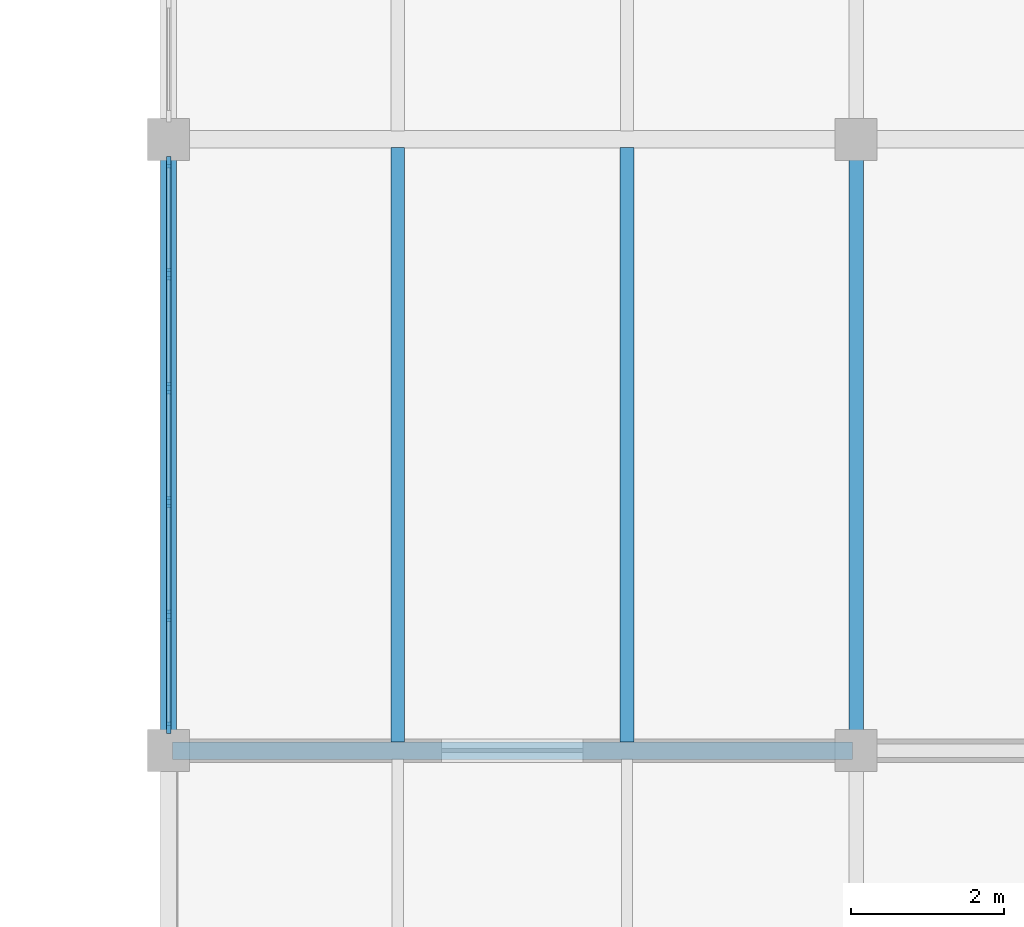
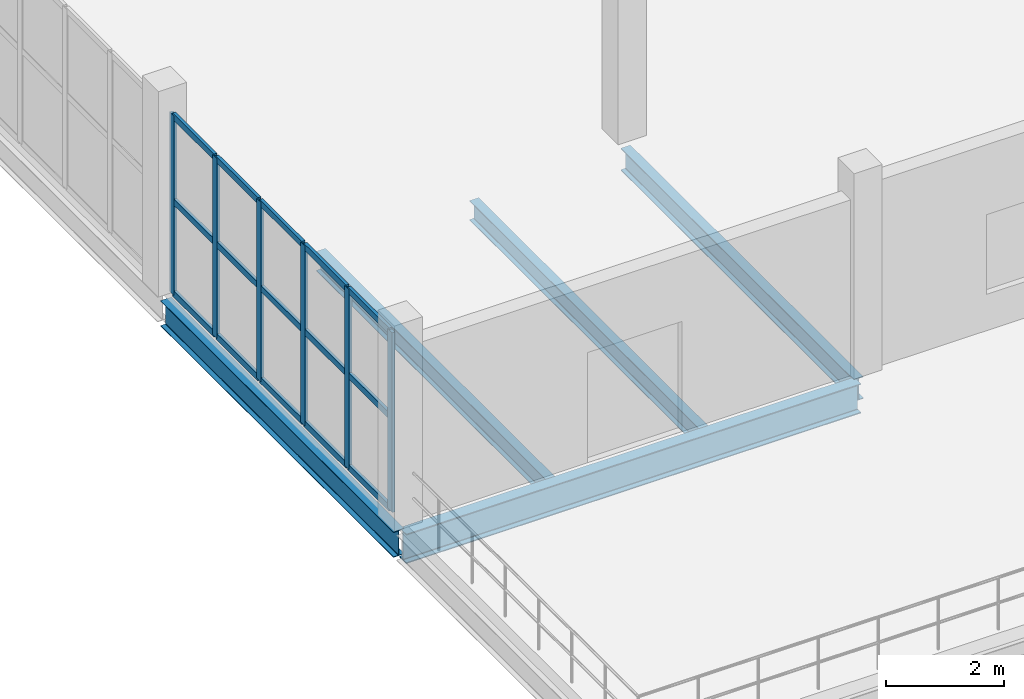
# One storey, part 13 of 54: 21 members, 5 beams, 1 element without a shape of its own.
"""IFC4 building model written with IfcOpenShell, lengths in metres."""

from ifc_helpers import new_model, si_unit, direction, frame, origin, origin_2d, place, context, subcontext, project, spatial, rectangle, i_section, extrude, material, layer, layer_set, material_profile, profile_set, type_object, element, aggregate, save


model = new_model("IFC4")

# Units and contexts
model_context = context("Model", 3, precision=1e-05, world=origin(), true_north=direction((0.0, 1.0)))
body_context = subcontext(model_context, "Body", "Model", "MODEL_VIEW")
ifc_project = project(units=[si_unit("LENGTHUNIT", "METRE"), si_unit("AREAUNIT", "SQUARE_METRE"), si_unit("VOLUMEUNIT", "CUBIC_METRE"), si_unit("PLANEANGLEUNIT", "RADIAN"), si_unit("MASSUNIT", "GRAM", prefix="KILO")], contexts=[model_context])

# Site, building, storey
site_placement = place(None, origin())
site = spatial("IfcSite", under=ifc_project, at=site_placement, CompositionType="ELEMENT")
building_placement = place(site_placement, origin())
building = spatial("IfcBuilding", under=site, at=building_placement, Name="Marnock Terrace Opera House", CompositionType="ELEMENT")
storey_placement = place(building_placement, frame((0.0, 0.0, 19.199951171875)))
storey = spatial("IfcBuildingStorey", under=building, at=storey_placement, Name="L04", CompositionType="ELEMENT", Elevation=19.199951171875)

# Beams
ifc_material_1 = material(Name="Steel Grade 350 (AS/NZS 3679.1)", Category="steel")
ifc_material_profile_1 = material_profile(ifc_material_1, i_section(OverallWidth=0.18994140625, OverallDepth=0.45751953125, WebThickness=0.009033203125, FlangeThickness=0.014404296875, FilletRadius=0.011474609375, at=origin_2d()))
ifc_profile_set_1 = profile_set([ifc_material_profile_1], Name="Steel Grade 350 (AS/NZS 3679.1)")
beam_type_1 = type_object("IfcBeamType", Name="BM-GIRD-460B", PredefinedType="BEAM", material=ifc_profile_set_1)
beam_1_placement = place(storey_placement, frame((127.0, 16.050048828125, -0.49853515625), z_axis=(0.0, 1.0, 0.0), x_axis=(-1.0, 0.0, 0.0)))
element("IfcBeam", 1, at=beam_1_placement, inside=storey, type_object=beam_type_1, Name="L04 girder (X=127.0, 16.0..24.0)", PredefinedType="BEAM", context=body_context, shape_type="SweptSolid", body=[
    extrude(i_section(OverallWidth=0.18994140625, OverallDepth=0.45751953125, WebThickness=0.009033203125, FlangeThickness=0.014404296875, FilletRadius=0.011474609375, at=origin_2d()), origin(), (0.0, 0.0, 1.0), 7.89990234375),
])
ifc_material_profile_2 = material_profile(ifc_material_1, i_section(OverallWidth=0.208984375, OverallDepth=0.528076171875, WebThickness=0.009521484375, FlangeThickness=0.01318359375, FilletRadius=0.013916015625, at=origin_2d()))
ifc_profile_set_2 = profile_set([ifc_material_profile_2], Name="Steel Grade 350 (AS/NZS 3679.1)")
beam_type_2 = type_object("IfcBeamType", Name="BM-GIRD-530B", PredefinedType="BEAM", material=ifc_profile_set_2)
beam_2_placement = place(storey_placement, frame((118.0, 16.050048828125, -0.533935546875), z_axis=(0.0, 1.0, 0.0), x_axis=(-1.0, 0.0, 0.0)))
element("IfcBeam", 2, at=beam_2_placement, inside=storey, type_object=beam_type_2, Name="L04 girder (X=118.0, 16.0..24.0)", PredefinedType="BEAM", context=body_context, shape_type="SweptSolid", body=[
    extrude(i_section(OverallWidth=0.208984375, OverallDepth=0.528076171875, WebThickness=0.009521484375, FlangeThickness=0.01318359375, FilletRadius=0.013916015625, at=origin_2d()), origin(), (0.0, 0.0, 1.0), 7.89990234375),
])
ifc_material_profile_3 = material_profile(ifc_material_1, i_section(OverallWidth=0.22900390625, OverallDepth=0.611572265625, WebThickness=0.011962890625, FlangeThickness=0.01953125, FilletRadius=0.013916015625, at=origin_2d()))
ifc_profile_set_3 = profile_set([ifc_material_profile_3], Name="Steel Grade 350 (AS/NZS 3679.1)")
beam_type_3 = type_object("IfcBeamType", Name="BM-GIRD-610A", PredefinedType="BEAM", material=ifc_profile_set_3)
beam_3_placement = place(storey_placement, frame((118.050048828125, 16.0, -0.57568359375), z_axis=(1.0, 0.0, 0.0), x_axis=(0.0, 1.0, 0.0)))
element("IfcBeam", 3, at=beam_3_placement, inside=storey, type_object=beam_type_3, Name="L04 girder (118.0..127.0, Y=16.0)", PredefinedType="BEAM", context=body_context, shape_type="SweptSolid", body=[
    extrude(i_section(OverallWidth=0.22900390625, OverallDepth=0.611572265625, WebThickness=0.011962890625, FlangeThickness=0.01953125, FilletRadius=0.013916015625, at=origin_2d()), origin(), (0.0, 0.0, 1.0), 8.89990234375),
])
ifc_material_profile_4 = material_profile(ifc_material_1, i_section(OverallWidth=0.177978515625, OverallDepth=0.406494140625, WebThickness=0.0078125, FlangeThickness=0.0126953125, FilletRadius=0.011474609375, at=origin_2d()))
ifc_profile_set_4 = profile_set([ifc_material_profile_4], Name="Steel Grade 350 (AS/NZS 3679.1)")
beam_type_4 = type_object("IfcBeamType", Name="BM-JOIST-410", PredefinedType="JOIST", material=ifc_profile_set_4)
for number, where, z_axis, x_axis, name in (
    (4, (121.0, 16.109619140625, -0.47314453125), (0.0, 1.0, 0.0), (-1.0, 0.0, 0.0), "L04 secondary joist 13.2.1"),
    (5, (124.0, 16.109619140625, -0.47314453125), (0.0, 1.0, 0.0), (-1.0, 0.0, 0.0), "L04 secondary joist 13.2.2"),
):
    element("IfcBeam", number, at=place(storey_placement, frame(where, z_axis=z_axis, x_axis=x_axis)), inside=storey, type_object=beam_type_4, Name=name, PredefinedType="JOIST", context=body_context, shape_type="SweptSolid", body=[
        extrude(i_section(OverallWidth=0.177978515625, OverallDepth=0.406494140625, WebThickness=0.0078125, FlangeThickness=0.0126953125, FilletRadius=0.011474609375, at=origin_2d()), origin(), (0.0, 0.0, 1.0), 7.781494140625),
    ])

# Curtain wall, members
ifc_material_2 = material(Name="Anodised architectural bronze aluminium framing", Category="aluminium")
ifc_layer = layer(ifc_material_2, 0.159912109375)
ifc_layer_set = layer_set([ifc_layer], Name="Anodised architectural bronze aluminium framing")
curtain_wall_type = type_object("IfcCurtainWallType", Name="CW-DRUM-71x39", PredefinedType="NOTDEFINED", material=ifc_layer_set)
curtain_wall_placement = place(storey_placement, origin())
curtain_wall = element("IfcCurtainWall", 6, at=curtain_wall_placement, inside=storey, type_object=curtain_wall_type, Name="L04 glazed Beaux-Arts colonnade curtain wall CW-L04-V5W1", PredefinedType="NOTDEFINED")
ifc_material_profile_5 = material_profile(ifc_material_2, rectangle(XDim=0.06005859375, YDim=0.14990234375, at=origin_2d()))
ifc_profile_set_5 = profile_set([ifc_material_profile_5], Name="Anodised architectural bronze aluminium framing")
member_type_1 = type_object("IfcMemberType", Name="CWM-60x150", PredefinedType="MULLION", material=ifc_profile_set_5)
member_1_placement = place(storey_placement, frame((118.0, 16.301025390625, 0.0), z_axis=(0.0, 0.0, 1.0), x_axis=(-1.0, 0.0, 0.0)))
member_1 = element("IfcMember", 7, at=member_1_placement, type_object=member_type_1, Name="CW-76 mullion 1", PredefinedType="MULLION", context=body_context, shape_type="SweptSolid", body=[
    extrude(rectangle(XDim=0.06005859375, YDim=0.14990234375, at=origin_2d()), origin(), (0.0, 0.0, 1.0), 3.72216796875),
])
member_2_placement = place(storey_placement, frame((118.0, 17.7626953125, 0.0), z_axis=(0.0, 0.0, 1.0), x_axis=(-1.0, 0.0, 0.0)))
member_2 = element("IfcMember", 8, at=member_2_placement, type_object=member_type_1, Name="CW-76 mullion 2", PredefinedType="MULLION", context=body_context, shape_type="SweptSolid", body=[
    extrude(rectangle(XDim=0.06005859375, YDim=0.14990234375, at=origin_2d()), origin(), (0.0, 0.0, 1.0), 3.72216796875),
])
member_3_placement = place(storey_placement, frame((118.0, 19.254150390625, 0.0), z_axis=(0.0, 0.0, 1.0), x_axis=(-1.0, 0.0, 0.0)))
member_3 = element("IfcMember", 9, at=member_3_placement, type_object=member_type_1, Name="CW-76 mullion 3", PredefinedType="MULLION", context=body_context, shape_type="SweptSolid", body=[
    extrude(rectangle(XDim=0.06005859375, YDim=0.14990234375, at=origin_2d()), origin(), (0.0, 0.0, 1.0), 3.72216796875),
])
member_4_placement = place(storey_placement, frame((118.0, 20.745849609375, 0.0), z_axis=(0.0, 0.0, 1.0), x_axis=(-1.0, 0.0, 0.0)))
member_4 = element("IfcMember", 10, at=member_4_placement, type_object=member_type_1, Name="CW-76 mullion 4", PredefinedType="MULLION", context=body_context, shape_type="SweptSolid", body=[
    extrude(rectangle(XDim=0.06005859375, YDim=0.14990234375, at=origin_2d()), origin(), (0.0, 0.0, 1.0), 3.72216796875),
])
member_5_placement = place(storey_placement, frame((118.0, 22.2373046875, 0.0), z_axis=(0.0, 0.0, 1.0), x_axis=(-1.0, 0.0, 0.0)))
member_5 = element("IfcMember", 11, at=member_5_placement, type_object=member_type_1, Name="CW-76 mullion 5", PredefinedType="MULLION", context=body_context, shape_type="SweptSolid", body=[
    extrude(rectangle(XDim=0.06005859375, YDim=0.14990234375, at=origin_2d()), origin(), (0.0, 0.0, 1.0), 3.72216796875),
])
member_6_placement = place(storey_placement, frame((118.0, 23.698974609375, 0.0), z_axis=(0.0, 0.0, 1.0), x_axis=(-1.0, 0.0, 0.0)))
member_6 = element("IfcMember", 12, at=member_6_placement, type_object=member_type_1, Name="CW-76 mullion 6", PredefinedType="MULLION", context=body_context, shape_type="SweptSolid", body=[
    extrude(rectangle(XDim=0.06005859375, YDim=0.14990234375, at=origin_2d()), origin(), (0.0, 0.0, 1.0), 3.72216796875),
])
ifc_material_profile_6 = material_profile(ifc_material_2, rectangle(XDim=0.06005859375, YDim=0.1298828125, at=origin_2d()))
ifc_profile_set_6 = profile_set([ifc_material_profile_6], Name="Anodised architectural bronze aluminium framing")
member_type_2 = type_object("IfcMemberType", Name="CWT-60x130", PredefinedType="USERDEFINED", material=ifc_profile_set_6)
member_7_placement = place(storey_placement, frame((118.0, 16.3310546875, 0.030029296875), z_axis=(0.0, 1.0, 0.0), x_axis=(-1.0, 0.0, 0.0)))
member_7 = element("IfcMember", 13, at=member_7_placement, type_object=member_type_2, Name="CW-76 transom 1.1", ObjectType="TRANSOM", PredefinedType="USERDEFINED", context=body_context, shape_type="SweptSolid", body=[
    extrude(rectangle(XDim=0.06005859375, YDim=0.1298828125, at=origin_2d()), origin(), (0.0, 0.0, 1.0), 1.401611328125),
])
member_8_placement = place(storey_placement, frame((118.0, 16.3310546875, 1.935546875), z_axis=(0.0, 1.0, 0.0), x_axis=(-1.0, 0.0, 0.0)))
member_8 = element("IfcMember", 14, at=member_8_placement, type_object=member_type_2, Name="CW-76 transom 1.2", ObjectType="TRANSOM", PredefinedType="USERDEFINED", context=body_context, shape_type="SweptSolid", body=[
    extrude(rectangle(XDim=0.06005859375, YDim=0.1298828125, at=origin_2d()), origin(), (0.0, 0.0, 1.0), 1.401611328125),
])
member_9_placement = place(storey_placement, frame((118.0, 16.3310546875, 3.692138671875), z_axis=(0.0, 1.0, 0.0), x_axis=(-1.0, 0.0, 0.0)))
member_9 = element("IfcMember", 15, at=member_9_placement, type_object=member_type_2, Name="CW-76 transom 1.3", ObjectType="TRANSOM", PredefinedType="USERDEFINED", context=body_context, shape_type="SweptSolid", body=[
    extrude(rectangle(XDim=0.06005859375, YDim=0.1298828125, at=origin_2d()), origin(), (0.0, 0.0, 1.0), 1.401611328125),
])
member_10_placement = place(storey_placement, frame((118.0, 17.79248046875, 0.030029296875), z_axis=(0.0, 1.0, 0.0), x_axis=(-1.0, 0.0, 0.0)))
member_10 = element("IfcMember", 16, at=member_10_placement, type_object=member_type_2, Name="CW-76 transom 2.1", ObjectType="TRANSOM", PredefinedType="USERDEFINED", context=body_context, shape_type="SweptSolid", body=[
    extrude(rectangle(XDim=0.06005859375, YDim=0.1298828125, at=origin_2d()), origin(), (0.0, 0.0, 1.0), 1.431640625),
])
member_11_placement = place(storey_placement, frame((118.0, 17.79248046875, 1.935546875), z_axis=(0.0, 1.0, 0.0), x_axis=(-1.0, 0.0, 0.0)))
member_11 = element("IfcMember", 17, at=member_11_placement, type_object=member_type_2, Name="CW-76 transom 2.2", ObjectType="TRANSOM", PredefinedType="USERDEFINED", context=body_context, shape_type="SweptSolid", body=[
    extrude(rectangle(XDim=0.06005859375, YDim=0.1298828125, at=origin_2d()), origin(), (0.0, 0.0, 1.0), 1.431640625),
])
member_12_placement = place(storey_placement, frame((118.0, 17.79248046875, 3.692138671875), z_axis=(0.0, 1.0, 0.0), x_axis=(-1.0, 0.0, 0.0)))
member_12 = element("IfcMember", 18, at=member_12_placement, type_object=member_type_2, Name="CW-76 transom 2.3", ObjectType="TRANSOM", PredefinedType="USERDEFINED", context=body_context, shape_type="SweptSolid", body=[
    extrude(rectangle(XDim=0.06005859375, YDim=0.1298828125, at=origin_2d()), origin(), (0.0, 0.0, 1.0), 1.431640625),
])
member_13_placement = place(storey_placement, frame((118.0, 19.2841796875, 0.030029296875), z_axis=(0.0, 1.0, 0.0), x_axis=(-1.0, 0.0, 0.0)))
member_13 = element("IfcMember", 19, at=member_13_placement, type_object=member_type_2, Name="CW-76 transom 3.1", ObjectType="TRANSOM", PredefinedType="USERDEFINED", context=body_context, shape_type="SweptSolid", body=[
    extrude(rectangle(XDim=0.06005859375, YDim=0.1298828125, at=origin_2d()), origin(), (0.0, 0.0, 1.0), 1.431640625),
])
member_14_placement = place(storey_placement, frame((118.0, 19.2841796875, 1.935546875), z_axis=(0.0, 1.0, 0.0), x_axis=(-1.0, 0.0, 0.0)))
member_14 = element("IfcMember", 20, at=member_14_placement, type_object=member_type_2, Name="CW-76 transom 3.2", ObjectType="TRANSOM", PredefinedType="USERDEFINED", context=body_context, shape_type="SweptSolid", body=[
    extrude(rectangle(XDim=0.06005859375, YDim=0.1298828125, at=origin_2d()), origin(), (0.0, 0.0, 1.0), 1.431640625),
])
member_15_placement = place(storey_placement, frame((118.0, 19.2841796875, 3.692138671875), z_axis=(0.0, 1.0, 0.0), x_axis=(-1.0, 0.0, 0.0)))
member_15 = element("IfcMember", 21, at=member_15_placement, type_object=member_type_2, Name="CW-76 transom 3.3", ObjectType="TRANSOM", PredefinedType="USERDEFINED", context=body_context, shape_type="SweptSolid", body=[
    extrude(rectangle(XDim=0.06005859375, YDim=0.1298828125, at=origin_2d()), origin(), (0.0, 0.0, 1.0), 1.431640625),
])
member_16_placement = place(storey_placement, frame((118.0, 20.77587890625, 0.030029296875), z_axis=(0.0, 1.0, 0.0), x_axis=(-1.0, 0.0, 0.0)))
member_16 = element("IfcMember", 22, at=member_16_placement, type_object=member_type_2, Name="CW-76 transom 4.1", ObjectType="TRANSOM", PredefinedType="USERDEFINED", context=body_context, shape_type="SweptSolid", body=[
    extrude(rectangle(XDim=0.06005859375, YDim=0.1298828125, at=origin_2d()), origin(), (0.0, 0.0, 1.0), 1.431640625),
])
member_17_placement = place(storey_placement, frame((118.0, 20.77587890625, 1.935546875), z_axis=(0.0, 1.0, 0.0), x_axis=(-1.0, 0.0, 0.0)))
member_17 = element("IfcMember", 23, at=member_17_placement, type_object=member_type_2, Name="CW-76 transom 4.2", ObjectType="TRANSOM", PredefinedType="USERDEFINED", context=body_context, shape_type="SweptSolid", body=[
    extrude(rectangle(XDim=0.06005859375, YDim=0.1298828125, at=origin_2d()), origin(), (0.0, 0.0, 1.0), 1.431640625),
])
member_18_placement = place(storey_placement, frame((118.0, 20.77587890625, 3.692138671875), z_axis=(0.0, 1.0, 0.0), x_axis=(-1.0, 0.0, 0.0)))
member_18 = element("IfcMember", 24, at=member_18_placement, type_object=member_type_2, Name="CW-76 transom 4.3", ObjectType="TRANSOM", PredefinedType="USERDEFINED", context=body_context, shape_type="SweptSolid", body=[
    extrude(rectangle(XDim=0.06005859375, YDim=0.1298828125, at=origin_2d()), origin(), (0.0, 0.0, 1.0), 1.431640625),
])
member_19_placement = place(storey_placement, frame((118.0, 22.267333984375, 0.030029296875), z_axis=(0.0, 1.0, 0.0), x_axis=(-1.0, 0.0, 0.0)))
member_19 = element("IfcMember", 25, at=member_19_placement, type_object=member_type_2, Name="CW-76 transom 5.1", ObjectType="TRANSOM", PredefinedType="USERDEFINED", context=body_context, shape_type="SweptSolid", body=[
    extrude(rectangle(XDim=0.06005859375, YDim=0.1298828125, at=origin_2d()), origin(), (0.0, 0.0, 1.0), 1.401611328125),
])
member_20_placement = place(storey_placement, frame((118.0, 22.267333984375, 1.935546875), z_axis=(0.0, 1.0, 0.0), x_axis=(-1.0, 0.0, 0.0)))
member_20 = element("IfcMember", 26, at=member_20_placement, type_object=member_type_2, Name="CW-76 transom 5.2", ObjectType="TRANSOM", PredefinedType="USERDEFINED", context=body_context, shape_type="SweptSolid", body=[
    extrude(rectangle(XDim=0.06005859375, YDim=0.1298828125, at=origin_2d()), origin(), (0.0, 0.0, 1.0), 1.401611328125),
])
member_21_placement = place(storey_placement, frame((118.0, 22.267333984375, 3.692138671875), z_axis=(0.0, 1.0, 0.0), x_axis=(-1.0, 0.0, 0.0)))
member_21 = element("IfcMember", 27, at=member_21_placement, type_object=member_type_2, Name="CW-76 transom 5.3", ObjectType="TRANSOM", PredefinedType="USERDEFINED", context=body_context, shape_type="SweptSolid", body=[
    extrude(rectangle(XDim=0.06005859375, YDim=0.1298828125, at=origin_2d()), origin(), (0.0, 0.0, 1.0), 1.401611328125),
])
aggregate(curtain_wall, [member_1, member_2, member_3, member_4, member_5, member_6, member_7, member_8, member_9, member_10, member_11, member_12, member_13, member_14, member_15, member_16, member_17, member_18, member_19, member_20, member_21])

save(model, "model.ifc")
